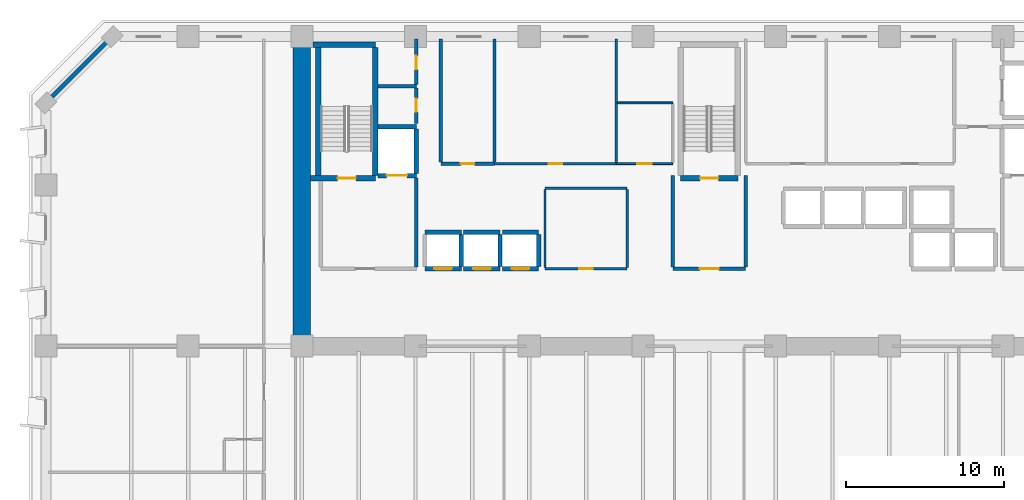
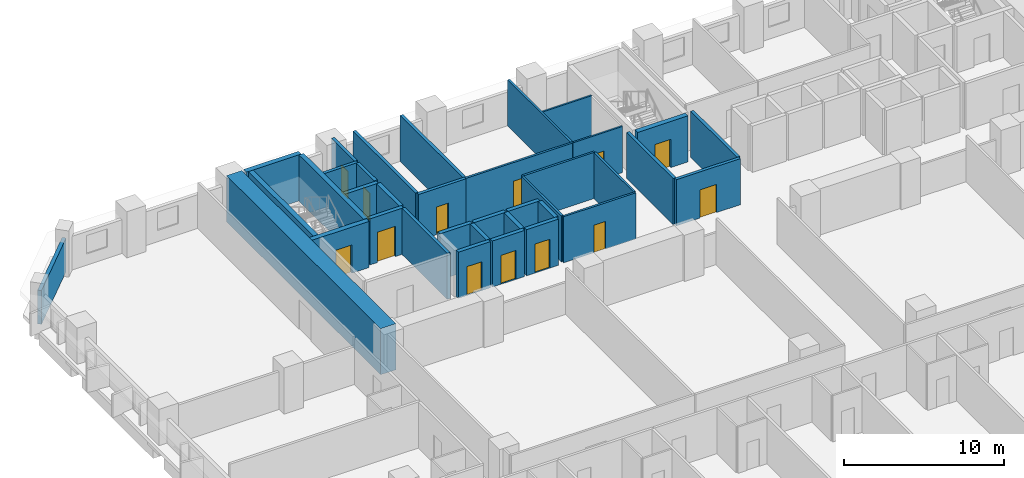
# One storey, part 7 of 15: 37 walls, 13 doors, 13 openings.
"""IFC4 building model written with IfcOpenShell, lengths in metres."""

from ifc_helpers import new_model, si_unit, direction, frame, frame_2d, origin, place, context, subcontext, project, spatial, rectangle, extrude, material, layer, layer_set, type_object, element, fill, save


model = new_model("IFC4")

# Units and contexts
model_context = context("Model", 3, precision=1e-05, world=origin(), true_north=direction((0.0, 1.0)))
body_context = subcontext(model_context, "Body", "Model", "MODEL_VIEW")
ifc_project = project(units=[si_unit("LENGTHUNIT", "METRE"), si_unit("AREAUNIT", "SQUARE_METRE"), si_unit("VOLUMEUNIT", "CUBIC_METRE"), si_unit("PLANEANGLEUNIT", "RADIAN"), si_unit("MASSUNIT", "GRAM", prefix="KILO")], contexts=[model_context])

# Site, building, storey
site_placement = place(None, origin())
site = spatial("IfcSite", under=ifc_project, at=site_placement, CompositionType="ELEMENT")
building_placement = place(site_placement, origin())
building = spatial("IfcBuilding", under=site, at=building_placement, Name="Kaelvorn Grand Hotel", CompositionType="ELEMENT")
storey_placement = place(building_placement, frame((0.0, 0.0, 57.64990234375)))
storey = spatial("IfcBuildingStorey", under=building, at=storey_placement, Name="L12", CompositionType="ELEMENT", Elevation=57.64990234375)

# Walls
ifc_material_1 = material(Name="Concrete C80/95", Category="concrete")
ifc_layer_1 = layer(ifc_material_1, 1.10009765625)
ifc_layer_set_1 = layer_set([ifc_layer_1], Name="Concrete C80/95")
wall_type_1 = type_object("IfcWallType", Name="WL-CORE-1100-C80", PredefinedType="SHEAR", material=ifc_layer_set_1)
wall_1_placement = place(storey_placement, frame((16.199951171875, 29.39990234375, 0.0), z_axis=(0.0, 0.0, 1.0), x_axis=(0.0, 1.0, 0.0)))
element("IfcWall", 1, at=wall_1_placement, inside=storey, type_object=wall_type_1, Name="L12 Rear-Core West Shear Wall", PredefinedType="SHEAR", context=body_context, shape_type="SweptSolid", body=[
    extrude(rectangle(XDim=19.2001953125, YDim=1.10009765625, at=frame_2d((9.60009765625, 0.0))), origin(), (0.0, 0.0, 1.0), 3.510009765625),
])
ifc_material_2 = material(Name="Concrete C40/50", Category="concrete")
ifc_layer_2 = layer(ifc_material_2, 0.260009765625)
ifc_layer_set_2 = layer_set([ifc_layer_2], Name="Concrete C40/50")
wall_type_2 = type_object("IfcWallType", Name="WL-EXT-260-C40", PredefinedType="SOLIDWALL", material=ifc_layer_set_2)
wall_2_placement = place(storey_placement, frame((4.199951171875, 49.0, 0.0), z_axis=(0.0, 0.0, 1.0), x_axis=(-0.707106781187, -0.707106781187, 0.0)))
element("IfcWall", 2, at=wall_2_placement, inside=storey, type_object=wall_type_2, Name="L12 Exterior Architectural Concrete Wall 06", PredefinedType="SOLIDWALL", context=body_context, shape_type="SweptSolid", body=[
    extrude(rectangle(XDim=5.939697265625, YDim=0.260009765625, at=frame_2d((2.9697265625, 0.0))), origin(), (0.0, 0.0, 1.0), 2.56005859375),
])

# Wall, opening, door
ifc_material_3 = material(Name="Moisture-Resistant Tile & Stud Board")
ifc_layer_3 = layer(ifc_material_3, 0.125)
ifc_layer_set_3 = layer_set([ifc_layer_3], Name="Moisture-Resistant Tile & Stud Board")
wall_type_3 = type_object("IfcWallType", Name="WL-PART-125-WET", PredefinedType="PARTITIONING", material=ifc_layer_set_3)
wall_3_placement = place(storey_placement, frame((36.110107421875, 40.949951171875, 0.0), z_axis=(0.0, 0.0, 1.0), x_axis=(1.0, 0.0, 0.0)))
wall_3 = element("IfcWall", 3, at=wall_3_placement, inside=storey, type_object=wall_type_3, Name="L12 Accessible WC S Partition", PredefinedType="PARTITIONING", context=body_context, shape_type="SweptSolid", body=[
    extrude(rectangle(XDim=3.58984375, YDim=0.125, at=frame_2d((1.794921875, 0.0))), origin(), (0.0, 0.0, 1.0), 3.510009765625),
])
opening_1_placement = place(wall_3_placement, frame((1.340087890625, 0.0, 0.0)))
opening_1 = element("IfcOpeningElement", 4, at=opening_1_placement, cuts=wall_3, Name="Opening DI4", PredefinedType="OPENING", context=body_context, shape_type="SweptSolid", body=[
    extrude(rectangle(XDim=0.89990234375, YDim=2.10009765625, at=frame_2d((0.449951171875, 1.050048828125))), frame((0.0, 0.072509765625, 0.0), z_axis=(0.0, -1.0, 0.0), x_axis=(1.0, 0.0, 0.0)), (0.0, 0.0, 1.0), 0.14501953125),
])
ifc_material_4 = material(Name="Timber Veneer Leaf", Category="wood")
door_type_1 = type_object("IfcDoorType", Name="DR-INT-BATH-900x2100", OperationType="NOTDEFINED", PredefinedType="DOOR", material=ifc_material_4)
door_1_placement = place(opening_1_placement, origin())
door_1 = element("IfcDoor", 5, at=door_1_placement, inside=storey, type_object=door_type_1, Name="L12 Accessible WC Door", OperationType="SINGLE_SWING_LEFT", OverallHeight=2.10009765625, OverallWidth=0.89990234375, PredefinedType="DOOR", context=body_context, shape_type="SweptSolid", body=[
    extrude(rectangle(XDim=0.89990234375, YDim=2.10009765625, at=frame_2d((0.449951171875, 1.050048828125))), frame((0.0, 0.02490234375, 0.0), z_axis=(0.0, -1.0, 0.0), x_axis=(1.0, 0.0, 0.0)), (0.0, 0.0, 1.0), 0.050048828125),
])
fill(opening_1, door_1)

# Wall
wall_4_placement = place(storey_placement, frame((36.179931640625, 44.800048828125, 0.0), z_axis=(0.0, 0.0, 1.0), x_axis=(1.0, 0.0, 0.0)))
element("IfcWall", 6, at=wall_4_placement, inside=storey, type_object=wall_type_3, Name="L12 Accessible WC N Partition", PredefinedType="PARTITIONING", context=body_context, shape_type="SweptSolid", body=[
    extrude(rectangle(XDim=3.52001953125, YDim=0.125, at=frame_2d((1.760009765625, 0.0))), origin(), (0.0, 0.0, 1.0), 3.510009765625),
])

# Wall, opening, door
ifc_material_5 = material(Name="Acoustic Gypsum & Stud Partition")
ifc_layer_4 = layer(ifc_material_5, 0.14990234375)
ifc_layer_set_4 = layer_set([ifc_layer_4], Name="Acoustic Gypsum & Stud Partition")
wall_type_4 = type_object("IfcWallType", Name="WL-PART-150-EI60", PredefinedType="PARTITIONING", material=ifc_layer_set_4)
wall_5_placement = place(storey_placement, frame((31.60009765625, 34.300048828125, 0.0), z_axis=(0.0, 0.0, 1.0), x_axis=(1.0, 0.0, 0.0)))
wall_5 = element("IfcWall", 7, at=wall_5_placement, inside=storey, type_object=wall_type_4, Name="L12 Core Telecoms & BMS Server Room S Partition", PredefinedType="PARTITIONING", context=body_context, shape_type="SweptSolid", body=[
    extrude(rectangle(XDim=5.199951171875, YDim=0.14990234375, at=frame_2d((2.60009765625, 0.0))), origin(), (0.0, 0.0, 1.0), 3.510009765625),
])
opening_2_placement = place(wall_5_placement, frame((2.175048828125, 0.0, 0.0)))
opening_2 = element("IfcOpeningElement", 8, at=opening_2_placement, cuts=wall_5, Name="Opening DI7", PredefinedType="OPENING", context=body_context, shape_type="SweptSolid", body=[
    extrude(rectangle(XDim=0.85009765625, YDim=2.10009765625, at=frame_2d((0.425048828125, 1.050048828125))), frame((0.0, 0.0849609375, 0.0), z_axis=(0.0, -1.0, 0.0), x_axis=(1.0, 0.0, 0.0)), (0.0, 0.0, 1.0), 0.169921875),
])
ifc_material_6 = material(Name="Powder-Coated Steel Leaf", Category="steel")
door_type_2 = type_object("IfcDoorType", Name="DR-INT-RISER-850x2100", OperationType="NOTDEFINED", PredefinedType="DOOR", material=ifc_material_6)
door_2_placement = place(opening_2_placement, origin())
door_2 = element("IfcDoor", 9, at=door_2_placement, inside=storey, type_object=door_type_2, Name="L12 Core Telecoms & BMS Server Room Door", OperationType="SINGLE_SWING_RIGHT", OverallHeight=2.10009765625, OverallWidth=0.85009765625, PredefinedType="DOOR", context=body_context, shape_type="SweptSolid", body=[
    extrude(rectangle(XDim=0.85009765625, YDim=2.10009765625, at=frame_2d((0.425048828125, 1.050048828125))), frame((0.0, 0.02490234375, 0.0), z_axis=(0.0, -1.0, 0.0), x_axis=(1.0, 0.0, 0.0)), (0.0, 0.0, 1.0), 0.050048828125),
])
fill(opening_2, door_2)

# Walls
wall_6_placement = place(storey_placement, frame((31.60009765625, 39.39990234375, 0.0), z_axis=(0.0, 0.0, 1.0), x_axis=(1.0, 0.0, 0.0)))
element("IfcWall", 10, at=wall_6_placement, inside=storey, type_object=wall_type_4, Name="L12 Core Telecoms & BMS Server Room N Partition", PredefinedType="PARTITIONING", context=body_context, shape_type="SweptSolid", body=[
    extrude(rectangle(XDim=5.199951171875, YDim=0.14990234375, at=frame_2d((2.60009765625, 0.0))), origin(), (0.0, 0.0, 1.0), 3.510009765625),
])
for number, where, z_axis, x_axis, name in (
    (11, (31.60009765625, 34.3798828125, 0.0), (0.0, 0.0, 1.0), (0.0, 1.0, 0.0), "L12 Core Telecoms & BMS Server Room W Partition"),
    (12, (36.800048828125, 34.3798828125, 0.0), (0.0, 0.0, 1.0), (0.0, 1.0, 0.0), "L12 Core Telecoms & BMS Server Room E Partition"),
):
    element("IfcWall", number, at=place(storey_placement, frame(where, z_axis=z_axis, x_axis=x_axis)), inside=storey, type_object=wall_type_4, Name=name, PredefinedType="PARTITIONING", context=body_context, shape_type="SweptSolid", body=[
        extrude(rectangle(XDim=4.940185546875, YDim=0.14990234375, at=frame_2d((2.47021484375, 0.0))), origin(), (0.0, 0.0, 1.0), 3.510009765625),
    ])

# Wall, opening, door
wall_7_placement = place(storey_placement, frame((28.409912109375, 40.949951171875, 0.0), z_axis=(0.0, 0.0, 1.0), x_axis=(1.0, 0.0, 0.0)))
wall_7 = element("IfcWall", 13, at=wall_7_placement, inside=storey, type_object=wall_type_4, Name="L12 Housekeeping & Linen Room S Partition", PredefinedType="PARTITIONING", context=body_context, shape_type="SweptSolid", body=[
    extrude(rectangle(XDim=7.690185546875, YDim=0.14990234375, at=frame_2d((3.84521484375, 0.0))), origin(), (0.0, 0.0, 1.0), 3.510009765625),
])
opening_3_placement = place(wall_7_placement, frame((3.4150390625, 0.0, 0.0)))
opening_3 = element("IfcOpeningElement", 14, at=opening_3_placement, cuts=wall_7, Name="Opening DI7", PredefinedType="OPENING", context=body_context, shape_type="SweptSolid", body=[
    extrude(rectangle(XDim=0.85009765625, YDim=2.10009765625, at=frame_2d((0.425048828125, 1.050048828125))), frame((0.0, 0.0849609375, 0.0), z_axis=(0.0, -1.0, 0.0), x_axis=(1.0, 0.0, 0.0)), (0.0, 0.0, 1.0), 0.169921875),
])
door_3_placement = place(opening_3_placement, origin())
door_3 = element("IfcDoor", 15, at=door_3_placement, inside=storey, type_object=door_type_2, Name="L12 Housekeeping & Linen Room Door", OperationType="SINGLE_SWING_RIGHT", OverallHeight=2.10009765625, OverallWidth=0.85009765625, PredefinedType="DOOR", context=body_context, shape_type="SweptSolid", body=[
    extrude(rectangle(XDim=0.85009765625, YDim=2.10009765625, at=frame_2d((0.425048828125, 1.050048828125))), frame((0.0, 0.02490234375, 0.0), z_axis=(0.0, -1.0, 0.0), x_axis=(1.0, 0.0, 0.0)), (0.0, 0.0, 1.0), 0.050048828125),
])
fill(opening_3, door_3)

# Walls
wall_8_placement = place(storey_placement, frame((36.10009765625, 41.030029296875, 0.0), z_axis=(0.0, 0.0, 1.0), x_axis=(0.0, 1.0, 0.0)))
element("IfcWall", 16, at=wall_8_placement, inside=storey, type_object=wall_type_4, Name="L12 Housekeeping & Linen Room E Partition", PredefinedType="PARTITIONING", context=body_context, shape_type="SweptSolid", body=[
    extrude(rectangle(XDim=7.820068359375, YDim=0.14990234375, at=frame_2d((3.91015625, 0.0))), origin(), (0.0, 0.0, 1.0), 3.510009765625),
])
ifc_layer_5 = layer(ifc_material_2, 0.219970703125)
ifc_layer_set_5 = layer_set([ifc_layer_5], Name="Concrete C40/50")
wall_type_5 = type_object("IfcWallType", Name="WL-PART-220-EI120", PredefinedType="PARTITIONING", material=ifc_layer_set_5)
wall_9_placement = place(storey_placement, frame((23.449951171875, 34.4150390625, 0.0), z_axis=(0.0, 0.0, 1.0), x_axis=(0.0, 1.0, 0.0)))
element("IfcWall", 17, at=wall_9_placement, inside=storey, type_object=wall_type_5, Name="L12 Firefighting Lift Lobby 1 E Partition", PredefinedType="PARTITIONING", context=body_context, shape_type="SweptSolid", body=[
    extrude(rectangle(XDim=5.639892578125, YDim=0.219970703125, at=frame_2d((2.81982421875, 0.0))), origin(), (0.0, 0.0, 1.0), 3.510009765625),
])

# Wall, opening, door
wall_10_placement = place(storey_placement, frame((39.699951171875, 34.300048828125, 0.0), z_axis=(0.0, 0.0, 1.0), x_axis=(1.0, 0.0, 0.0)))
wall_10 = element("IfcWall", 18, at=wall_10_placement, inside=storey, type_object=wall_type_5, Name="L12 Central Stair Escape Vestibule S Partition", PredefinedType="PARTITIONING", context=body_context, shape_type="SweptSolid", body=[
    extrude(rectangle(XDim=4.60009765625, YDim=0.219970703125, at=frame_2d((2.300048828125, 0.0))), origin(), (0.0, 0.0, 1.0), 3.510009765625),
])
opening_4_placement = place(wall_10_placement, frame((1.699951171875, 0.0, 0.0)))
opening_4 = element("IfcOpeningElement", 19, at=opening_4_placement, cuts=wall_10, Name="Opening DI2", PredefinedType="OPENING", context=body_context, shape_type="SweptSolid", body=[
    extrude(rectangle(XDim=1.199951171875, YDim=2.14990234375, at=frame_2d((0.60009765625, 1.074951171875))), frame((0.0, 0.1201171875, 0.0), z_axis=(0.0, -1.0, 0.0), x_axis=(1.0, 0.0, 0.0)), (0.0, 0.0, 1.0), 0.239990234375),
])
ifc_material_7 = material(Name="Timber Veneer Fire Leaf", Category="wood")
door_type_3 = type_object("IfcDoorType", Name="DR-INT-FFLOB-1200x2150", OperationType="NOTDEFINED", PredefinedType="DOOR", material=ifc_material_7)
door_4_placement = place(opening_4_placement, origin())
door_4 = element("IfcDoor", 20, at=door_4_placement, inside=storey, type_object=door_type_3, Name="L12 Central Stair Escape Vestibule Door", OperationType="SINGLE_SWING_RIGHT", OverallHeight=2.14990234375, OverallWidth=1.199951171875, PredefinedType="DOOR", context=body_context, shape_type="SweptSolid", body=[
    extrude(rectangle(XDim=1.199951171875, YDim=2.14990234375, at=frame_2d((0.60009765625, 1.074951171875))), frame((0.0, 0.02490234375, 0.0), z_axis=(0.0, -1.0, 0.0), x_axis=(1.0, 0.0, 0.0)), (0.0, 0.0, 1.0), 0.050048828125),
])
fill(opening_4, door_4)

# Walls
for number, where, z_axis, x_axis, name in (
    (21, (39.699951171875, 34.4150390625, 0.0), (0.0, 0.0, 1.0), (0.0, 1.0, 0.0), "L12 Central Stair Escape Vestibule W Partition"),
    (22, (44.300048828125, 34.4150390625, 0.0), (0.0, 0.0, 1.0), (0.0, 1.0, 0.0), "L12 Central Stair Escape Vestibule E Partition"),
):
    element("IfcWall", number, at=place(storey_placement, frame(where, z_axis=z_axis, x_axis=x_axis)), inside=storey, type_object=wall_type_5, Name=name, PredefinedType="PARTITIONING", context=body_context, shape_type="SweptSolid", body=[
        extrude(rectangle(XDim=5.784912109375, YDim=0.219970703125, at=frame_2d((2.892578125, 0.0))), origin(), (0.0, 0.0, 1.0), 3.510009765625),
    ])
wall_11_placement = place(storey_placement, frame((21.034912109375, 45.85009765625, 0.0), z_axis=(0.0, 0.0, 1.0), x_axis=(1.0, 0.0, 0.0)))
element("IfcWall", 23, at=wall_11_placement, inside=storey, type_object=wall_type_5, Name="L12 Wet Fire & Plumbing Riser Shaft N Partition", PredefinedType="PARTITIONING", context=body_context, shape_type="SweptSolid", body=[
    extrude(rectangle(XDim=2.4150390625, YDim=0.219970703125, at=frame_2d((1.20751953125, 0.0))), origin(), (0.0, 0.0, 1.0), 3.510009765625),
])

# Wall, opening, door
wall_12_placement = place(storey_placement, frame((23.449951171875, 43.5, 0.0), z_axis=(0.0, 0.0, 1.0), x_axis=(0.0, 1.0, 0.0)))
wall_12 = element("IfcWall", 24, at=wall_12_placement, inside=storey, type_object=wall_type_5, Name="L12 Wet Fire & Plumbing Riser Shaft E Partition", PredefinedType="PARTITIONING", context=body_context, shape_type="SweptSolid", body=[
    extrude(rectangle(XDim=2.235107421875, YDim=0.219970703125, at=frame_2d((1.11767578125, 0.0))), origin(), (0.0, 0.0, 1.0), 3.510009765625),
])
opening_5_placement = place(wall_12_placement, frame((0.72509765625, 0.0, 0.0)))
opening_5 = element("IfcOpeningElement", 25, at=opening_5_placement, cuts=wall_12, Name="Opening DI7", PredefinedType="OPENING", context=body_context, shape_type="SweptSolid", body=[
    extrude(rectangle(XDim=0.85009765625, YDim=2.10009765625, at=frame_2d((0.425048828125, 1.050048828125))), frame((0.0, 0.1201171875, 0.0), z_axis=(0.0, -1.0, 0.0), x_axis=(1.0, 0.0, 0.0)), (0.0, 0.0, 1.0), 0.239990234375),
])
door_5_placement = place(opening_5_placement, origin())
door_5 = element("IfcDoor", 26, at=door_5_placement, inside=storey, type_object=door_type_2, Name="L12 Wet Fire & Plumbing Riser Shaft Door", OperationType="SINGLE_SWING_RIGHT", OverallHeight=2.10009765625, OverallWidth=0.85009765625, PredefinedType="DOOR", context=body_context, shape_type="SweptSolid", body=[
    extrude(rectangle(XDim=0.85009765625, YDim=2.10009765625, at=frame_2d((0.425048828125, 1.050048828125))), frame((0.0, 0.02490234375, 0.0), z_axis=(0.0, -1.0, 0.0), x_axis=(1.0, 0.0, 0.0)), (0.0, 0.0, 1.0), 0.050048828125),
])
fill(opening_5, door_5)

wall_13_placement = place(storey_placement, frame((23.449951171875, 45.965087890625, 0.0), z_axis=(0.0, 0.0, 1.0), x_axis=(0.0, 1.0, 0.0)))
wall_13 = element("IfcWall", 27, at=wall_13_placement, inside=storey, type_object=wall_type_5, Name="L12 HV Electrical & Smoke Riser E Partition", PredefinedType="PARTITIONING", context=body_context, shape_type="SweptSolid", body=[
    extrude(rectangle(XDim=2.885009765625, YDim=0.219970703125, at=frame_2d((1.4423828125, 0.0))), origin(), (0.0, 0.0, 1.0), 3.510009765625),
])
opening_6_placement = place(wall_13_placement, frame((0.9599609375, 0.0, 0.0)))
opening_6 = element("IfcOpeningElement", 28, at=opening_6_placement, cuts=wall_13, Name="Opening DI7", PredefinedType="OPENING", context=body_context, shape_type="SweptSolid", body=[
    extrude(rectangle(XDim=0.85009765625, YDim=2.10009765625, at=frame_2d((0.425048828125, 1.050048828125))), frame((0.0, 0.1201171875, 0.0), z_axis=(0.0, -1.0, 0.0), x_axis=(1.0, 0.0, 0.0)), (0.0, 0.0, 1.0), 0.239990234375),
])
door_6_placement = place(opening_6_placement, origin())
door_6 = element("IfcDoor", 29, at=door_6_placement, inside=storey, type_object=door_type_2, Name="L12 HV Electrical & Smoke Riser Door", OperationType="SINGLE_SWING_LEFT", OverallHeight=2.10009765625, OverallWidth=0.85009765625, PredefinedType="DOOR", context=body_context, shape_type="SweptSolid", body=[
    extrude(rectangle(XDim=0.85009765625, YDim=2.10009765625, at=frame_2d((0.425048828125, 1.050048828125))), frame((0.0, 0.02490234375, 0.0), z_axis=(0.0, -1.0, 0.0), x_axis=(1.0, 0.0, 0.0)), (0.0, 0.0, 1.0), 0.050048828125),
])
fill(opening_6, door_6)

wall_14_placement = place(storey_placement, frame((25.0, 40.949951171875, 0.0), z_axis=(0.0, 0.0, 1.0), x_axis=(1.0, 0.0, 0.0)))
wall_14 = element("IfcWall", 30, at=wall_14_placement, inside=storey, type_object=wall_type_5, Name="L12 Electrical Distribution Room S Partition", PredefinedType="PARTITIONING", context=body_context, shape_type="SweptSolid", body=[
    extrude(rectangle(XDim=3.39990234375, YDim=0.219970703125, at=frame_2d((1.699951171875, 0.0))), origin(), (0.0, 0.0, 1.0), 3.510009765625),
])
opening_7_placement = place(wall_14_placement, frame((1.27490234375, 0.0, 0.0)))
opening_7 = element("IfcOpeningElement", 31, at=opening_7_placement, cuts=wall_14, Name="Opening DI7", PredefinedType="OPENING", context=body_context, shape_type="SweptSolid", body=[
    extrude(rectangle(XDim=0.85009765625, YDim=2.10009765625, at=frame_2d((0.425048828125, 1.050048828125))), frame((0.0, 0.1201171875, 0.0), z_axis=(0.0, -1.0, 0.0), x_axis=(1.0, 0.0, 0.0)), (0.0, 0.0, 1.0), 0.239990234375),
])
door_7_placement = place(opening_7_placement, origin())
door_7 = element("IfcDoor", 32, at=door_7_placement, inside=storey, type_object=door_type_2, Name="L12 Electrical Distribution Room Door", OperationType="SINGLE_SWING_LEFT", OverallHeight=2.10009765625, OverallWidth=0.85009765625, PredefinedType="DOOR", context=body_context, shape_type="SweptSolid", body=[
    extrude(rectangle(XDim=0.85009765625, YDim=2.10009765625, at=frame_2d((0.425048828125, 1.050048828125))), frame((0.0, 0.02490234375, 0.0), z_axis=(0.0, -1.0, 0.0), x_axis=(1.0, 0.0, 0.0)), (0.0, 0.0, 1.0), 0.050048828125),
])
fill(opening_7, door_7)

# Walls
for number, where, z_axis, x_axis, name in (
    (33, (25.0, 41.06494140625, 0.0), (0.0, 0.0, 1.0), (0.0, 1.0, 0.0), "L12 Electrical Distribution Room W Partition"),
    (34, (28.39990234375, 41.06494140625, 0.0), (0.0, 0.0, 1.0), (0.0, 1.0, 0.0), "L12 Electrical Distribution Room E Partition"),
):
    element("IfcWall", number, at=place(storey_placement, frame(where, z_axis=z_axis, x_axis=x_axis)), inside=storey, type_object=wall_type_5, Name=name, PredefinedType="PARTITIONING", context=body_context, shape_type="SweptSolid", body=[
        extrude(rectangle(XDim=7.78515625, YDim=0.219970703125, at=frame_2d((3.892578125, 0.0))), origin(), (0.0, 0.0, 1.0), 3.510009765625),
    ])

# Wall, opening, door
ifc_material_8 = material(Name="Concrete C50/60", Category="concrete")
ifc_layer_6 = layer(ifc_material_8, 0.280029296875)
ifc_layer_set_6 = layer_set([ifc_layer_6], Name="Concrete C50/60")
wall_type_6 = type_object("IfcWallType", Name="WL-SHAFT-280-C50", PredefinedType="SHEAR", material=ifc_layer_set_6)
wall_15_placement = place(storey_placement, frame((24.0, 34.300048828125, 0.0), z_axis=(0.0, 0.0, 1.0), x_axis=(1.0, 0.0, 0.0)))
wall_15 = element("IfcWall", 35, at=wall_15_placement, inside=storey, type_object=wall_type_6, Name="L12 Lift PL-L1 Shaft South Wall", PredefinedType="SHEAR", context=body_context, shape_type="SweptSolid", body=[
    extrude(rectangle(XDim=2.300048828125, YDim=0.280029296875, at=frame_2d((1.14990234375, 0.0))), origin(), (0.0, 0.0, 1.0), 3.510009765625),
])
opening_8_placement = place(wall_15_placement, frame((0.60009765625, 0.0, 0.0)))
opening_8 = element("IfcOpeningElement", 36, at=opening_8_placement, cuts=wall_15, Name="Opening LD-PL-L1", PredefinedType="OPENING", context=body_context, shape_type="SweptSolid", body=[
    extrude(rectangle(XDim=1.10009765625, YDim=2.199951171875, at=frame_2d((0.550048828125, 1.10009765625))), frame((0.0, 0.14990234375, 0.0), z_axis=(0.0, -1.0, 0.0), x_axis=(1.0, 0.0, 0.0)), (0.0, 0.0, 1.0), 0.300048828125),
])
ifc_material_9 = material(Name="Stainless Steel", Category="steel")
door_type_4 = type_object("IfcDoorType", Name="DR-LIFT-PASS-1100x2200", OperationType="DOUBLE_DOOR_SLIDING", PredefinedType="DOOR", material=ifc_material_9)
door_8_placement = place(opening_8_placement, origin())
door_8 = element("IfcDoor", 37, at=door_8_placement, inside=storey, type_object=door_type_4, Name="L12 Lift PL-L1 Sliding Landing Door LD-PL-L1", OperationType="DOUBLE_DOOR_SLIDING", OverallHeight=2.199951171875, OverallWidth=1.10009765625, PredefinedType="DOOR", context=body_context, shape_type="SweptSolid", body=[
    extrude(rectangle(XDim=1.10009765625, YDim=2.199951171875, at=frame_2d((0.550048828125, 1.10009765625))), frame((0.0, 0.02490234375, 0.0), z_axis=(0.0, -1.0, 0.0), x_axis=(1.0, 0.0, 0.0)), (0.0, 0.0, 1.0), 0.050048828125),
])
fill(opening_8, door_8)

# Walls
wall_16_placement = place(storey_placement, frame((24.0, 36.60009765625, 0.0), z_axis=(0.0, 0.0, 1.0), x_axis=(1.0, 0.0, 0.0)))
element("IfcWall", 38, at=wall_16_placement, inside=storey, type_object=wall_type_6, Name="L12 Lift PL-L1 Shaft North Wall", PredefinedType="SHEAR", context=body_context, shape_type="SweptSolid", body=[
    extrude(rectangle(XDim=2.300048828125, YDim=0.280029296875, at=frame_2d((1.14990234375, 0.0))), origin(), (0.0, 0.0, 1.0), 3.510009765625),
])
wall_17_placement = place(storey_placement, frame((26.300048828125, 34.445068359375, 0.0), z_axis=(0.0, 0.0, 1.0), x_axis=(0.0, 1.0, 0.0)))
element("IfcWall", 39, at=wall_17_placement, inside=storey, type_object=wall_type_6, Name="L12 Lift PL-L1 Shaft East Wall", PredefinedType="SHEAR", context=body_context, shape_type="SweptSolid", body=[
    extrude(rectangle(XDim=2.010009765625, YDim=0.280029296875, at=frame_2d((1.0048828125, 0.0))), origin(), (0.0, 0.0, 1.0), 3.510009765625),
])

# Wall, opening, door
wall_18_placement = place(storey_placement, frame((26.449951171875, 34.300048828125, 0.0), z_axis=(0.0, 0.0, 1.0), x_axis=(1.0, 0.0, 0.0)))
wall_18 = element("IfcWall", 40, at=wall_18_placement, inside=storey, type_object=wall_type_6, Name="L12 Lift PL-L2 Shaft South Wall", PredefinedType="SHEAR", context=body_context, shape_type="SweptSolid", body=[
    extrude(rectangle(XDim=2.300048828125, YDim=0.280029296875, at=frame_2d((1.14990234375, 0.0))), origin(), (0.0, 0.0, 1.0), 3.510009765625),
])
opening_9_placement = place(wall_18_placement, frame((0.60009765625, 0.0, 0.0)))
opening_9 = element("IfcOpeningElement", 41, at=opening_9_placement, cuts=wall_18, Name="Opening LD-PL-L2", PredefinedType="OPENING", context=body_context, shape_type="SweptSolid", body=[
    extrude(rectangle(XDim=1.10009765625, YDim=2.199951171875, at=frame_2d((0.550048828125, 1.10009765625))), frame((0.0, 0.14990234375, 0.0), z_axis=(0.0, -1.0, 0.0), x_axis=(1.0, 0.0, 0.0)), (0.0, 0.0, 1.0), 0.300048828125),
])
door_9_placement = place(opening_9_placement, origin())
door_9 = element("IfcDoor", 42, at=door_9_placement, inside=storey, type_object=door_type_4, Name="L12 Lift PL-L2 Sliding Landing Door LD-PL-L2", OperationType="DOUBLE_DOOR_SLIDING", OverallHeight=2.199951171875, OverallWidth=1.10009765625, PredefinedType="DOOR", context=body_context, shape_type="SweptSolid", body=[
    extrude(rectangle(XDim=1.10009765625, YDim=2.199951171875, at=frame_2d((0.550048828125, 1.10009765625))), frame((0.0, 0.02490234375, 0.0), z_axis=(0.0, -1.0, 0.0), x_axis=(1.0, 0.0, 0.0)), (0.0, 0.0, 1.0), 0.050048828125),
])
fill(opening_9, door_9)

# Walls
wall_19_placement = place(storey_placement, frame((26.449951171875, 36.60009765625, 0.0), z_axis=(0.0, 0.0, 1.0), x_axis=(1.0, 0.0, 0.0)))
element("IfcWall", 43, at=wall_19_placement, inside=storey, type_object=wall_type_6, Name="L12 Lift PL-L2 Shaft North Wall", PredefinedType="SHEAR", context=body_context, shape_type="SweptSolid", body=[
    extrude(rectangle(XDim=2.300048828125, YDim=0.280029296875, at=frame_2d((1.14990234375, 0.0))), origin(), (0.0, 0.0, 1.0), 3.510009765625),
])
wall_20_placement = place(storey_placement, frame((28.75, 34.445068359375, 0.0), z_axis=(0.0, 0.0, 1.0), x_axis=(0.0, 1.0, 0.0)))
element("IfcWall", 44, at=wall_20_placement, inside=storey, type_object=wall_type_6, Name="L12 Lift PL-L2 Shaft East Wall", PredefinedType="SHEAR", context=body_context, shape_type="SweptSolid", body=[
    extrude(rectangle(XDim=2.010009765625, YDim=0.280029296875, at=frame_2d((1.0048828125, 0.0))), origin(), (0.0, 0.0, 1.0), 3.510009765625),
])

# Wall, opening, door
wall_21_placement = place(storey_placement, frame((28.89990234375, 34.300048828125, 0.0), z_axis=(0.0, 0.0, 1.0), x_axis=(1.0, 0.0, 0.0)))
wall_21 = element("IfcWall", 45, at=wall_21_placement, inside=storey, type_object=wall_type_6, Name="L12 Lift PL-L3 Shaft South Wall", PredefinedType="SHEAR", context=body_context, shape_type="SweptSolid", body=[
    extrude(rectangle(XDim=2.300048828125, YDim=0.280029296875, at=frame_2d((1.14990234375, 0.0))), origin(), (0.0, 0.0, 1.0), 3.510009765625),
])
opening_10_placement = place(wall_21_placement, frame((0.60009765625, 0.0, 0.0)))
opening_10 = element("IfcOpeningElement", 46, at=opening_10_placement, cuts=wall_21, Name="Opening LD-PL-L3", PredefinedType="OPENING", context=body_context, shape_type="SweptSolid", body=[
    extrude(rectangle(XDim=1.10009765625, YDim=2.199951171875, at=frame_2d((0.550048828125, 1.10009765625))), frame((0.0, 0.14990234375, 0.0), z_axis=(0.0, -1.0, 0.0), x_axis=(1.0, 0.0, 0.0)), (0.0, 0.0, 1.0), 0.300048828125),
])
door_10_placement = place(opening_10_placement, origin())
door_10 = element("IfcDoor", 47, at=door_10_placement, inside=storey, type_object=door_type_4, Name="L12 Lift PL-L3 Sliding Landing Door LD-PL-L3", OperationType="DOUBLE_DOOR_SLIDING", OverallHeight=2.199951171875, OverallWidth=1.10009765625, PredefinedType="DOOR", context=body_context, shape_type="SweptSolid", body=[
    extrude(rectangle(XDim=1.10009765625, YDim=2.199951171875, at=frame_2d((0.550048828125, 1.10009765625))), frame((0.0, 0.02490234375, 0.0), z_axis=(0.0, -1.0, 0.0), x_axis=(1.0, 0.0, 0.0)), (0.0, 0.0, 1.0), 0.050048828125),
])
fill(opening_10, door_10)

# Walls
wall_22_placement = place(storey_placement, frame((28.89990234375, 36.60009765625, 0.0), z_axis=(0.0, 0.0, 1.0), x_axis=(1.0, 0.0, 0.0)))
element("IfcWall", 48, at=wall_22_placement, inside=storey, type_object=wall_type_6, Name="L12 Lift PL-L3 Shaft North Wall", PredefinedType="SHEAR", context=body_context, shape_type="SweptSolid", body=[
    extrude(rectangle(XDim=2.300048828125, YDim=0.280029296875, at=frame_2d((1.14990234375, 0.0))), origin(), (0.0, 0.0, 1.0), 3.510009765625),
])
wall_23_placement = place(storey_placement, frame((31.199951171875, 34.445068359375, 0.0), z_axis=(0.0, 0.0, 1.0), x_axis=(0.0, 1.0, 0.0)))
element("IfcWall", 49, at=wall_23_placement, inside=storey, type_object=wall_type_6, Name="L12 Lift PL-L3 Shaft East Wall", PredefinedType="SHEAR", context=body_context, shape_type="SweptSolid", body=[
    extrude(rectangle(XDim=2.010009765625, YDim=0.280029296875, at=frame_2d((1.0048828125, 0.0))), origin(), (0.0, 0.0, 1.0), 3.510009765625),
])

# Wall, opening, door
wall_24_placement = place(storey_placement, frame((21.034912109375, 40.199951171875, 0.0), z_axis=(0.0, 0.0, 1.0), x_axis=(1.0, 0.0, 0.0)))
wall_24 = element("IfcWall", 50, at=wall_24_placement, inside=storey, type_object=wall_type_6, Name="L12 Lift FFL1 Shaft South Wall", PredefinedType="SHEAR", context=body_context, shape_type="SweptSolid", body=[
    extrude(rectangle(XDim=2.4150390625, YDim=0.280029296875, at=frame_2d((1.20751953125, 0.0))), origin(), (0.0, 0.0, 1.0), 3.510009765625),
])
opening_11_placement = place(wall_24_placement, frame((0.5400390625, 0.0, 0.0)))
opening_11 = element("IfcOpeningElement", 51, at=opening_11_placement, cuts=wall_24, Name="Opening LD-FFL1", PredefinedType="OPENING", context=body_context, shape_type="SweptSolid", body=[
    extrude(rectangle(XDim=1.300048828125, YDim=2.300048828125, at=frame_2d((0.64990234375, 1.14990234375))), frame((0.0, 0.14990234375, 0.0), z_axis=(0.0, -1.0, 0.0), x_axis=(1.0, 0.0, 0.0)), (0.0, 0.0, 1.0), 0.300048828125),
])
door_type_5 = type_object("IfcDoorType", Name="DR-LIFT-SERV-1300x2300", OperationType="DOUBLE_DOOR_SLIDING", PredefinedType="DOOR", material=ifc_material_9)
door_11_placement = place(opening_11_placement, origin())
door_11 = element("IfcDoor", 52, at=door_11_placement, inside=storey, type_object=door_type_5, Name="L12 Lift FFL1 Sliding Landing Door LD-FFL1", OperationType="DOUBLE_DOOR_SLIDING", OverallHeight=2.300048828125, OverallWidth=1.300048828125, PredefinedType="DOOR", context=body_context, shape_type="SweptSolid", body=[
    extrude(rectangle(XDim=1.300048828125, YDim=2.300048828125, at=frame_2d((0.64990234375, 1.14990234375))), frame((0.0, 0.02490234375, 0.0), z_axis=(0.0, -1.0, 0.0), x_axis=(1.0, 0.0, 0.0)), (0.0, 0.0, 1.0), 0.050048828125),
])
fill(opening_11, door_11)

# Walls
wall_25_placement = place(storey_placement, frame((21.034912109375, 43.300048828125, 0.0), z_axis=(0.0, 0.0, 1.0), x_axis=(1.0, 0.0, 0.0)))
element("IfcWall", 53, at=wall_25_placement, inside=storey, type_object=wall_type_6, Name="L12 Lift FFL1 Shaft North Wall", PredefinedType="SHEAR", context=body_context, shape_type="SweptSolid", body=[
    extrude(rectangle(XDim=2.4150390625, YDim=0.280029296875, at=frame_2d((1.20751953125, 0.0))), origin(), (0.0, 0.0, 1.0), 3.510009765625),
])
wall_26_placement = place(storey_placement, frame((23.449951171875, 40.344970703125, 0.0), z_axis=(0.0, 0.0, 1.0), x_axis=(0.0, 1.0, 0.0)))
element("IfcWall", 54, at=wall_26_placement, inside=storey, type_object=wall_type_6, Name="L12 Lift FFL1 Shaft East Wall", PredefinedType="SHEAR", context=body_context, shape_type="SweptSolid", body=[
    extrude(rectangle(XDim=2.81005859375, YDim=0.280029296875, at=frame_2d((1.405029296875, 0.0))), origin(), (0.0, 0.0, 1.0), 3.510009765625),
])

# Wall, opening, door
ifc_material_10 = material(Name="Concrete C60/75", Category="concrete")
ifc_layer_7 = layer(ifc_material_10, 0.35009765625)
ifc_layer_set_7 = layer_set([ifc_layer_7], Name="Concrete C60/75")
wall_type_7 = type_object("IfcWallType", Name="WL-SHAFT-350-C60", PredefinedType="SHEAR", material=ifc_layer_set_7)
wall_27_placement = place(storey_placement, frame((16.7548828125, 40.02490234375, 0.0), z_axis=(0.0, 0.0, 1.0), x_axis=(1.0, 0.0, 0.0)))
wall_27 = element("IfcWall", 55, at=wall_27_placement, inside=storey, type_object=wall_type_7, Name="L12 ST1 Stair Shaft South Wall", PredefinedType="SHEAR", context=body_context, shape_type="SweptSolid", body=[
    extrude(rectangle(XDim=4.10009765625, YDim=0.35009765625, at=frame_2d((2.050048828125, 0.0))), origin(), (0.0, 0.0, 1.0), 3.510009765625),
])
opening_12_placement = place(wall_27_placement, frame((1.7099609375, 0.0, 0.0)))
opening_12 = element("IfcOpeningElement", 56, at=opening_12_placement, cuts=wall_27, Name="Opening DI1", PredefinedType="OPENING", context=body_context, shape_type="SweptSolid", body=[
    extrude(rectangle(XDim=1.14990234375, YDim=2.14990234375, at=frame_2d((0.574951171875, 1.074951171875))), frame((0.0, 0.18505859375, 0.0), z_axis=(0.0, -1.0, 0.0), x_axis=(1.0, 0.0, 0.0)), (0.0, 0.0, 1.0), 0.3701171875),
])
door_type_6 = type_object("IfcDoorType", Name="DR-INT-STAIR-1150x2150", OperationType="NOTDEFINED", PredefinedType="DOOR", material=ifc_material_7)
door_12_placement = place(opening_12_placement, origin())
door_12 = element("IfcDoor", 57, at=door_12_placement, inside=storey, type_object=door_type_6, Name="L12 ST1 Exit Stair Fire Door", OperationType="SINGLE_SWING_LEFT", OverallHeight=2.14990234375, OverallWidth=1.14990234375, PredefinedType="DOOR", context=body_context, shape_type="SweptSolid", body=[
    extrude(rectangle(XDim=1.14990234375, YDim=2.14990234375, at=frame_2d((0.574951171875, 1.074951171875))), frame((0.0, 0.02490234375, 0.0), z_axis=(0.0, -1.0, 0.0), x_axis=(1.0, 0.0, 0.0)), (0.0, 0.0, 1.0), 0.050048828125),
])
fill(opening_12, door_12)

# Walls
wall_28_placement = place(storey_placement, frame((16.905029296875, 48.47509765625, 0.0), z_axis=(0.0, 0.0, 1.0), x_axis=(1.0, 0.0, 0.0)))
element("IfcWall", 58, at=wall_28_placement, inside=storey, type_object=wall_type_7, Name="L12 ST1 Stair Shaft North Wall", PredefinedType="SHEAR", context=body_context, shape_type="SweptSolid", body=[
    extrude(rectangle(XDim=3.949951171875, YDim=0.35009765625, at=frame_2d((1.97509765625, 0.0))), origin(), (0.0, 0.0, 1.0), 3.510009765625),
])
for number, where, z_axis, x_axis, name in (
    (59, (17.22509765625, 40.205078125, 0.0), (0.0, 0.0, 1.0), (0.0, 1.0, 0.0), "L12 ST1 Stair Shaft West Wall"),
    (60, (20.85498046875, 40.205078125, 0.0), (0.0, 0.0, 1.0), (0.0, 1.0, 0.0), "L12 ST1 Stair Shaft East Wall"),
):
    element("IfcWall", number, at=place(storey_placement, frame(where, z_axis=z_axis, x_axis=x_axis)), inside=storey, type_object=wall_type_7, Name=name, PredefinedType="SHEAR", context=body_context, shape_type="SweptSolid", body=[
        extrude(rectangle(XDim=8.08984375, YDim=0.35009765625, at=frame_2d((4.044921875, 0.0))), origin(), (0.0, 0.0, 1.0), 3.510009765625),
    ])

# Wall, opening, door
wall_29_placement = place(storey_placement, frame((40.18505859375, 40.02490234375, 0.0), z_axis=(0.0, 0.0, 1.0), x_axis=(1.0, 0.0, 0.0)))
wall_29 = element("IfcWall", 61, at=wall_29_placement, inside=storey, type_object=wall_type_7, Name="L12 ST2 Stair Shaft South Wall", PredefinedType="SHEAR", context=body_context, shape_type="SweptSolid", body=[
    extrude(rectangle(XDim=3.6298828125, YDim=0.35009765625, at=frame_2d((1.81494140625, 0.0))), origin(), (0.0, 0.0, 1.0), 3.510009765625),
])
opening_13_placement = place(wall_29_placement, frame((1.239990234375, 0.0, 0.0)))
opening_13 = element("IfcOpeningElement", 62, at=opening_13_placement, cuts=wall_29, Name="Opening DI1", PredefinedType="OPENING", context=body_context, shape_type="SweptSolid", body=[
    extrude(rectangle(XDim=1.14990234375, YDim=2.14990234375, at=frame_2d((0.574951171875, 1.074951171875))), frame((0.0, 0.18505859375, 0.0), z_axis=(0.0, -1.0, 0.0), x_axis=(1.0, 0.0, 0.0)), (0.0, 0.0, 1.0), 0.3701171875),
])
door_13_placement = place(opening_13_placement, origin())
door_13 = element("IfcDoor", 63, at=door_13_placement, inside=storey, type_object=door_type_6, Name="L12 ST2 Exit Stair Fire Door", OperationType="SINGLE_SWING_RIGHT", OverallHeight=2.14990234375, OverallWidth=1.14990234375, PredefinedType="DOOR", context=body_context, shape_type="SweptSolid", body=[
    extrude(rectangle(XDim=1.14990234375, YDim=2.14990234375, at=frame_2d((0.574951171875, 1.074951171875))), frame((0.0, 0.02490234375, 0.0), z_axis=(0.0, -1.0, 0.0), x_axis=(1.0, 0.0, 0.0)), (0.0, 0.0, 1.0), 0.050048828125),
])
fill(opening_13, door_13)

save(model, "model.ifc")
